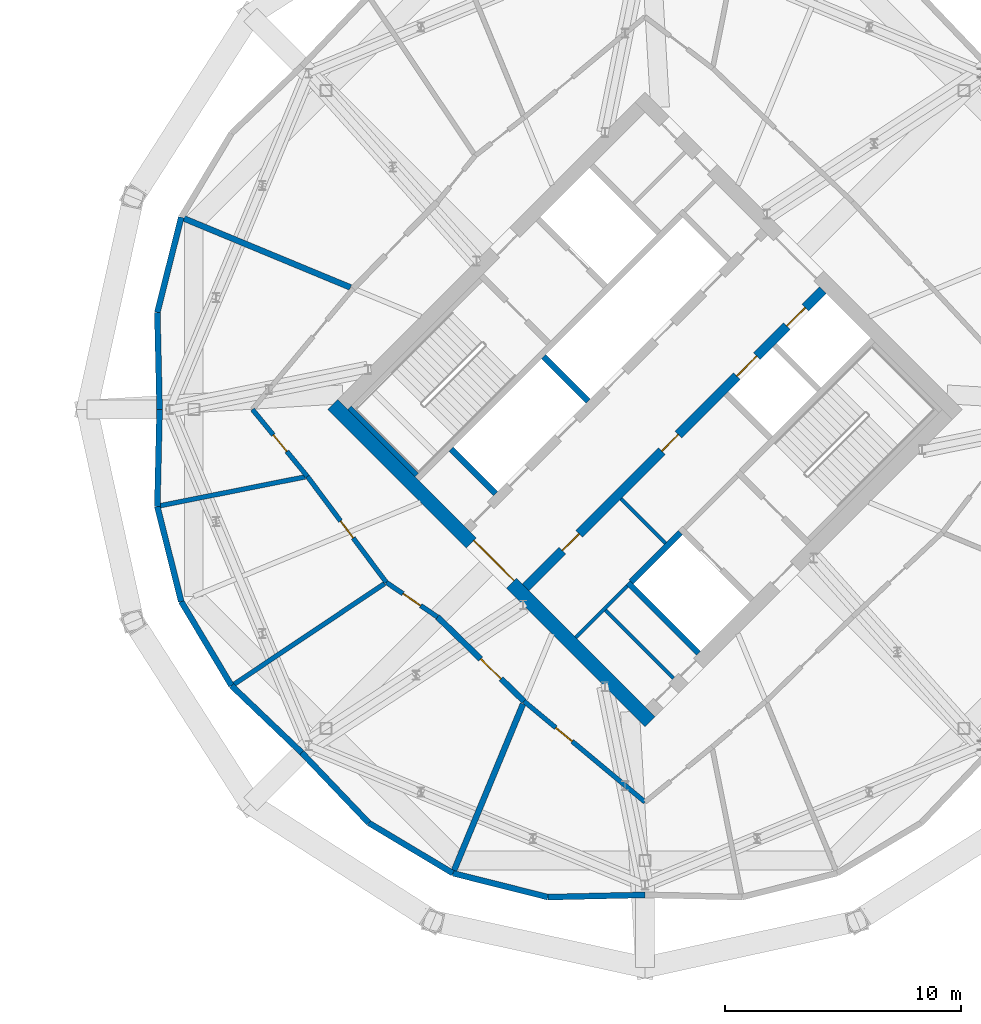
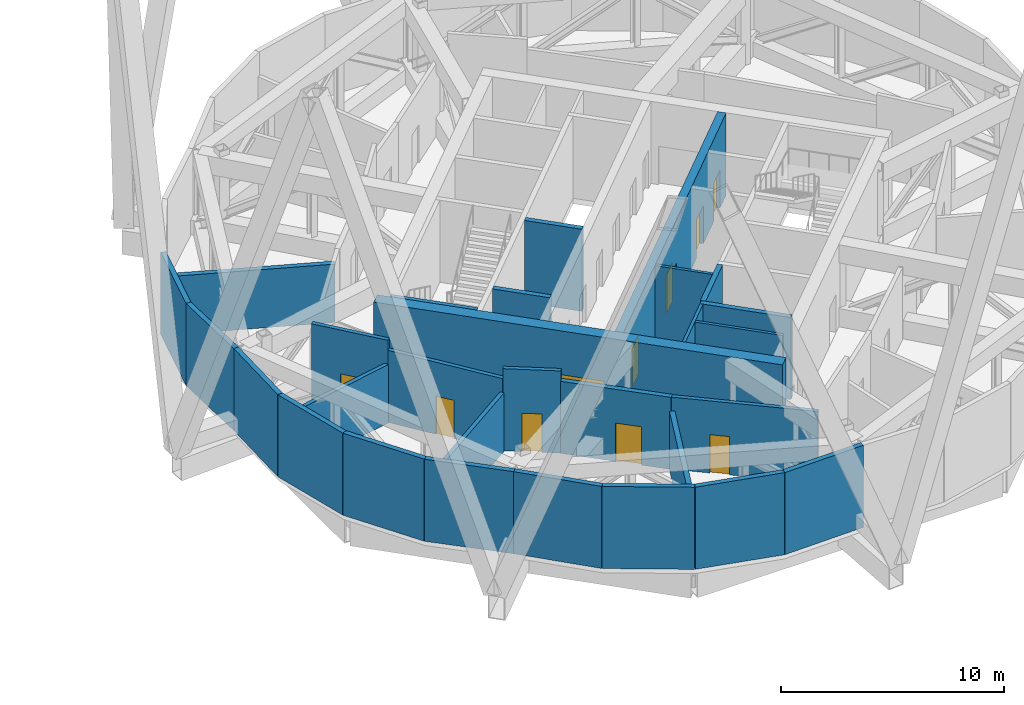
# One storey, part 15 of 19: 29 walls, 10 doors, 10 openings.
"""IFC4 building model written with IfcOpenShell, lengths in metres."""

from ifc_helpers import new_model, si_unit, direction, frame, frame_2d, origin, place, context, subcontext, project, spatial, rectangle, extrude, material, layer, layer_set, type_object, element, fill, save


model = new_model("IFC4")

# Units and contexts
model_context = context("Model", 3, precision=1e-05, world=origin(), true_north=direction((0.0, 1.0)))
body_context = subcontext(model_context, "Body", "Model", "MODEL_VIEW")
ifc_project = project(units=[si_unit("LENGTHUNIT", "METRE"), si_unit("AREAUNIT", "SQUARE_METRE"), si_unit("VOLUMEUNIT", "CUBIC_METRE"), si_unit("PLANEANGLEUNIT", "RADIAN"), si_unit("MASSUNIT", "GRAM", prefix="KILO")], contexts=[model_context])

# Site, building, storey
site_placement = place(None, origin())
site = spatial("IfcSite", under=ifc_project, at=site_placement, CompositionType="ELEMENT")
building_placement = place(site_placement, origin())
building = spatial("IfcBuilding", under=site, at=building_placement, Name="Ogive Gate Towers", CompositionType="ELEMENT")
storey_placement = place(building_placement, frame((0.0, 0.0, 216.300048828125)))
storey = spatial("IfcBuildingStorey", under=building, at=storey_placement, Name="L52", CompositionType="ELEMENT", Elevation=216.300048828125)

# Walls
ifc_material_1 = material(Name="Fire-rated block compartment wall")
ifc_layer_1 = layer(ifc_material_1, 0.199951171875)
ifc_layer_set_1 = layer_set([ifc_layer_1], Name="Compartment wall 200")
wall_type_1 = type_object("IfcWallType", Name="Compartment wall 200", PredefinedType="PARTITIONING", material=ifc_layer_set_1)
wall_1_placement = place(storey_placement, frame((15.314208984375, -4.10595703125, 0.0), z_axis=(0.0, 0.0, 1.0), x_axis=(0.980862436257, 0.19470203168, 0.0)))
element("IfcWall", 1, at=wall_1_placement, inside=storey, type_object=wall_type_1, Name="Partition T2-L52-006", PredefinedType="PARTITIONING", context=body_context, shape_type="SweptSolid", body=[
    extrude(rectangle(XDim=6.40869140625, YDim=0.199951171875, at=frame_2d((3.204345703125, 0.0))), origin(), (0.0, 0.0, 1.0), 3.199951171875),
])
wall_2_placement = place(storey_placement, frame((18.469482421875, -11.723876953125, 0.0), z_axis=(0.0, 0.0, 1.0), x_axis=(0.831236333101, 0.555919201442, 0.0)))
element("IfcWall", 2, at=wall_2_placement, inside=storey, type_object=wall_type_1, Name="Partition T2-L52-007", PredefinedType="PARTITIONING", context=body_context, shape_type="SweptSolid", body=[
    extrude(rectangle(XDim=7.80712890625, YDim=0.199951171875, at=frame_2d((3.903564453125, 0.0))), origin(), (0.0, 0.0, 1.0), 3.199951171875),
])

# Wall, opening, door
wall_3_placement = place(storey_placement, frame((19.3701171875, 0.0, 0.0), z_axis=(0.0, 0.0, 1.0), x_axis=(0.634160695306, -0.773201275561, 0.0)))
wall_3 = element("IfcWall", 3, at=wall_3_placement, inside=storey, type_object=wall_type_1, Name="Partition T2-L52-020", PredefinedType="PARTITIONING", context=body_context, shape_type="SweptSolid", body=[
    extrude(rectangle(XDim=3.671630859375, YDim=0.199951171875, at=frame_2d((1.8359375, 0.0))), origin(), (0.0, 0.0, 1.0), 4.5),
])
opening_1_placement = place(wall_3_placement, frame((1.39990234375, 0.0, 0.0)))
opening_1 = element("IfcOpeningElement", 4, at=opening_1_placement, cuts=wall_3, Name="Opening T2-L52-D09", PredefinedType="OPENING", context=body_context, shape_type="SweptSolid", body=[
    extrude(rectangle(XDim=0.89990234375, YDim=2.10009765625, at=frame_2d((0.449951171875, 1.050048828125))), frame((0.0, 0.10986328125, 0.0), z_axis=(0.0, -1.0, 0.0), x_axis=(1.0, 0.0, 0.0)), (0.0, 0.0, 1.0), 0.219970703125),
])
ifc_material_2 = material(Name="Steel fire door", Category="steel")
door_type_1 = type_object("IfcDoorType", Name="Fire door 900 FD30S", OperationType="NOTDEFINED", PredefinedType="DOOR", material=ifc_material_2)
door_1_placement = place(opening_1_placement, origin())
door_1 = element("IfcDoor", 5, at=door_1_placement, inside=storey, type_object=door_type_1, Name="Door T2-L52-D09", OperationType="SINGLE_SWING_RIGHT", OverallHeight=2.10009765625, OverallWidth=0.89990234375, PredefinedType="DOOR", context=body_context, shape_type="SweptSolid", body=[
    extrude(rectangle(XDim=0.89990234375, YDim=2.10009765625, at=frame_2d((0.449951171875, 1.050048828125))), frame((0.0, 0.02490234375, 0.0), z_axis=(0.0, -1.0, 0.0), x_axis=(1.0, 0.0, 0.0)), (0.0, 0.0, 1.0), 0.050048828125),
])
fill(opening_1, door_1)

wall_4_placement = place(storey_placement, frame((21.698486328125, -2.8388671875, 0.0), z_axis=(0.0, 0.0, 1.0), x_axis=(0.597344938892, -0.801984428764, 0.0)))
wall_4 = element("IfcWall", 6, at=wall_4_placement, inside=storey, type_object=wall_type_1, Name="Partition T2-L52-021", PredefinedType="PARTITIONING", context=body_context, shape_type="SweptSolid", body=[
    extrude(rectangle(XDim=5.59765625, YDim=0.199951171875, at=frame_2d((2.798828125, 0.0))), origin(), (0.0, 0.0, 1.0), 3.949951171875),
])
opening_2_placement = place(wall_4_placement, frame((2.35009765625, 0.0, 0.0)))
opening_2 = element("IfcOpeningElement", 7, at=opening_2_placement, cuts=wall_4, Name="Opening T2-L52-D10", PredefinedType="OPENING", context=body_context, shape_type="SweptSolid", body=[
    extrude(rectangle(XDim=0.89990234375, YDim=2.10009765625, at=frame_2d((0.449951171875, 1.050048828125))), frame((0.0, 0.10986328125, 0.0), z_axis=(0.0, -1.0, 0.0), x_axis=(1.0, 0.0, 0.0)), (0.0, 0.0, 1.0), 0.219970703125),
])
door_2_placement = place(opening_2_placement, origin())
door_2 = element("IfcDoor", 8, at=door_2_placement, inside=storey, type_object=door_type_1, Name="Door T2-L52-D10", OperationType="SINGLE_SWING_LEFT", OverallHeight=2.10009765625, OverallWidth=0.89990234375, PredefinedType="DOOR", context=body_context, shape_type="SweptSolid", body=[
    extrude(rectangle(XDim=0.89990234375, YDim=2.10009765625, at=frame_2d((0.449951171875, 1.050048828125))), frame((0.0, 0.02490234375, 0.0), z_axis=(0.0, -1.0, 0.0), x_axis=(1.0, 0.0, 0.0)), (0.0, 0.0, 1.0), 0.050048828125),
])
fill(opening_2, door_2)

wall_5_placement = place(storey_placement, frame((25.042236328125, -7.328125, 0.0), z_axis=(0.0, 0.0, 1.0), x_axis=(0.82893418587, -0.559346149979, 0.0)))
wall_5 = element("IfcWall", 9, at=wall_5_placement, inside=storey, type_object=wall_type_1, Name="Partition T2-L52-022", PredefinedType="PARTITIONING", context=body_context, shape_type="SweptSolid", body=[
    extrude(rectangle(XDim=2.614501953125, YDim=0.199951171875, at=frame_2d((1.30712890625, 0.0))), origin(), (0.0, 0.0, 1.0), 4.5),
])
opening_3_placement = place(wall_5_placement, frame((0.85009765625, 0.0, 0.0)))
opening_3 = element("IfcOpeningElement", 10, at=opening_3_placement, cuts=wall_5, Name="Opening T2-L52-D11", PredefinedType="OPENING", context=body_context, shape_type="SweptSolid", body=[
    extrude(rectangle(XDim=0.89990234375, YDim=2.10009765625, at=frame_2d((0.449951171875, 1.050048828125))), frame((0.0, 0.10986328125, 0.0), z_axis=(0.0, -1.0, 0.0), x_axis=(1.0, 0.0, 0.0)), (0.0, 0.0, 1.0), 0.219970703125),
])
door_3_placement = place(opening_3_placement, origin())
door_3 = element("IfcDoor", 11, at=door_3_placement, inside=storey, type_object=door_type_1, Name="Door T2-L52-D11", OperationType="SINGLE_SWING_RIGHT", OverallHeight=2.10009765625, OverallWidth=0.89990234375, PredefinedType="DOOR", context=body_context, shape_type="SweptSolid", body=[
    extrude(rectangle(XDim=0.89990234375, YDim=2.10009765625, at=frame_2d((0.449951171875, 1.050048828125))), frame((0.0, 0.02490234375, 0.0), z_axis=(0.0, -1.0, 0.0), x_axis=(1.0, 0.0, 0.0)), (0.0, 0.0, 1.0), 0.050048828125),
])
fill(opening_3, door_3)

wall_6_placement = place(storey_placement, frame((30.878662109375, -12.364013671875, 0.0), z_axis=(0.0, 0.0, 1.0), x_axis=(0.768362371892, -0.640015050964, 0.0)))
wall_6 = element("IfcWall", 12, at=wall_6_placement, inside=storey, type_object=wall_type_1, Name="Partition T2-L52-024", PredefinedType="PARTITIONING", context=body_context, shape_type="SweptSolid", body=[
    extrude(rectangle(XDim=6.665283203125, YDim=0.199951171875, at=frame_2d((3.33251953125, 0.0))), origin(), (0.0, 0.0, 1.0), 3.949951171875),
])
opening_4_placement = place(wall_6_placement, frame((1.75, 0.0, 0.0)))
opening_4 = element("IfcOpeningElement", 13, at=opening_4_placement, cuts=wall_6, Name="Opening T2-L52-D13", PredefinedType="OPENING", context=body_context, shape_type="SweptSolid", body=[
    extrude(rectangle(XDim=0.89990234375, YDim=2.10009765625, at=frame_2d((0.449951171875, 1.050048828125))), frame((0.0, 0.10986328125, 0.0), z_axis=(0.0, -1.0, 0.0), x_axis=(1.0, 0.0, 0.0)), (0.0, 0.0, 1.0), 0.219970703125),
])
door_4_placement = place(opening_4_placement, origin())
door_4 = element("IfcDoor", 14, at=door_4_placement, inside=storey, type_object=door_type_1, Name="Door T2-L52-D13", OperationType="SINGLE_SWING_RIGHT", OverallHeight=2.10009765625, OverallWidth=0.89990234375, PredefinedType="DOOR", context=body_context, shape_type="SweptSolid", body=[
    extrude(rectangle(XDim=0.89990234375, YDim=2.10009765625, at=frame_2d((0.449951171875, 1.050048828125))), frame((0.0, 0.02490234375, 0.0), z_axis=(0.0, -1.0, 0.0), x_axis=(1.0, 0.0, 0.0)), (0.0, 0.0, 1.0), 0.050048828125),
])
fill(opening_4, door_4)

ifc_material_3 = material(Name="Concrete C60/75", Category="concrete")
ifc_layer_2 = layer(ifc_material_3, 0.60009765625)
ifc_layer_set_2 = layer_set([ifc_layer_2], Name="Core wall 600 mm")
wall_type_2 = type_object("IfcWallType", Name="Core wall 600 mm", PredefinedType="SHEAR", material=ifc_layer_set_2)
wall_7_placement = place(storey_placement, frame((36.212158203125, -13.222900390625, 0.0), z_axis=(0.0, 0.0, 1.0), x_axis=(-0.707106781187, 0.707106781187, 0.0)))
wall_7 = element("IfcWall", 15, at=wall_7_placement, inside=storey, type_object=wall_type_2, Name="T2 L52 Core wall 600 mm", PredefinedType="SHEAR", context=body_context, shape_type="SweptSolid", body=[
    extrude(rectangle(XDim=19.0, YDim=0.60009765625, at=frame_2d((9.5, 0.0))), origin(), (0.0, 0.0, 1.0), 4.5),
])
opening_5_placement = place(wall_7_placement, frame((8.300048828125, 0.0, 0.0)))
opening_5 = element("IfcOpeningElement", 16, at=opening_5_placement, cuts=wall_7, Name="Opening KD-T2-L52-01", PredefinedType="OPENING", context=body_context, shape_type="SweptSolid", body=[
    extrude(rectangle(XDim=2.39990234375, YDim=2.10009765625, at=frame_2d((1.199951171875, 1.050048828125))), frame((0.0, 0.31005859375, 0.0), z_axis=(0.0, -1.0, 0.0), x_axis=(1.0, 0.0, 0.0)), (0.0, 0.0, 1.0), 0.6201171875),
])
door_type_2 = type_object("IfcDoorType", Name="Core double door FD60S 2400 x 2100", OperationType="DOUBLE_DOOR_SINGLE_SWING", PredefinedType="DOOR", material=ifc_material_2)
door_5_placement = place(opening_5_placement, origin())
door_5 = element("IfcDoor", 17, at=door_5_placement, inside=storey, type_object=door_type_2, Name="T2 L52 Core door double", OperationType="DOUBLE_DOOR_SINGLE_SWING", OverallHeight=2.10009765625, OverallWidth=2.39990234375, PredefinedType="DOOR", context=body_context, shape_type="SweptSolid", body=[
    extrude(rectangle(XDim=2.39990234375, YDim=2.10009765625, at=frame_2d((1.199951171875, 1.050048828125))), frame((0.0, -0.125, 0.0), z_axis=(0.0, -1.0, 0.0), x_axis=(1.0, 0.0, 0.0)), (0.0, 0.0, 1.0), 0.050048828125),
])
fill(opening_5, door_5)

# Walls
ifc_material_4 = material(Name="Pale metal aluminium louvre", Category="aluminium")
ifc_layer_3 = layer(ifc_material_4, 0.25)
ifc_layer_set_3 = layer_set([ifc_layer_3], Name="Plant louvre wall")
wall_type_3 = type_object("IfcWallType", Name="Plant louvre wall", PredefinedType="SOLIDWALL", material=ifc_layer_set_3)
wall_8_placement = place(storey_placement, frame((16.35400390625, 8.1376953125, 0.0), z_axis=(0.0, 0.0, 1.0), x_axis=(-0.244154126363, -0.969736439751, 0.0)))
element("IfcWall", 18, at=wall_8_placement, inside=storey, type_object=wall_type_3, Name="Plant louvre wall", PredefinedType="SOLIDWALL", context=body_context, shape_type="SweptSolid", body=[
    extrude(rectangle(XDim=4.15185546875, YDim=0.25, at=frame_2d((2.075927734375, 0.0))), origin(), (0.0, 0.0, 1.0), 4.5),
])
for number, where, z_axis, x_axis, name in (
    (19, (15.34033203125, 4.111572265625, 0.0), (0.0, 0.0, 1.0), (0.02303289986, -0.999734707572, 0.0), "Plant louvre wall"),
    (20, (15.43505859375, 0.0, 0.0), (0.0, 0.0, 1.0), (-0.02303289986, -0.999734707572, 0.0), "Plant louvre wall"),
):
    element("IfcWall", number, at=place(storey_placement, frame(where, z_axis=z_axis, x_axis=x_axis)), inside=storey, type_object=wall_type_3, Name=name, PredefinedType="SOLIDWALL", context=body_context, shape_type="SweptSolid", body=[
        extrude(rectangle(XDim=4.112548828125, YDim=0.25, at=frame_2d((2.05615234375, 0.0))), origin(), (0.0, 0.0, 1.0), 4.5),
    ])
wall_9_placement = place(storey_placement, frame((15.34033203125, -4.111572265625, 0.0), z_axis=(0.0, 0.0, 1.0), x_axis=(0.244154126363, -0.969736439751, 0.0)))
element("IfcWall", 21, at=wall_9_placement, inside=storey, type_object=wall_type_3, Name="Plant louvre wall", PredefinedType="SOLIDWALL", context=body_context, shape_type="SweptSolid", body=[
    extrude(rectangle(XDim=4.15185546875, YDim=0.25, at=frame_2d((2.075927734375, 0.0))), origin(), (0.0, 0.0, 1.0), 4.5),
])
wall_10_placement = place(storey_placement, frame((16.35400390625, -8.1376953125, 0.0), z_axis=(0.0, 0.0, 1.0), x_axis=(0.513042110204, -0.858363438852, 0.0)))
element("IfcWall", 22, at=wall_10_placement, inside=storey, type_object=wall_type_3, Name="Plant louvre wall", PredefinedType="SOLIDWALL", context=body_context, shape_type="SweptSolid", body=[
    extrude(rectangle(XDim=4.1513671875, YDim=0.25, at=frame_2d((2.07568359375, 0.0))), origin(), (0.0, 0.0, 1.0), 4.5),
])
for number, where, z_axis, x_axis, name in (
    (23, (18.48388671875, -11.701171875, 0.0), (0.0, 0.0, 1.0), (0.723242333283, -0.690594329072, 0.0), "Plant louvre wall"),
    (24, (21.45849609375, -14.54150390625, 0.0), (0.0, 0.0, 1.0), (0.690594329072, -0.723242333283, 0.0), "Plant louvre wall"),
):
    element("IfcWall", number, at=place(storey_placement, frame(where, z_axis=z_axis, x_axis=x_axis)), inside=storey, type_object=wall_type_3, Name=name, PredefinedType="SOLIDWALL", context=body_context, shape_type="SweptSolid", body=[
        extrude(rectangle(XDim=4.11279296875, YDim=0.25, at=frame_2d((2.056396484375, 0.0))), origin(), (0.0, 0.0, 1.0), 4.5),
    ])
wall_11_placement = place(storey_placement, frame((24.298828125, -17.51611328125, 0.0), z_axis=(0.0, 0.0, 1.0), x_axis=(0.858363438852, -0.513042110204, 0.0)))
element("IfcWall", 25, at=wall_11_placement, inside=storey, type_object=wall_type_3, Name="Plant louvre wall", PredefinedType="SOLIDWALL", context=body_context, shape_type="SweptSolid", body=[
    extrude(rectangle(XDim=4.1513671875, YDim=0.25, at=frame_2d((2.07568359375, 0.0))), origin(), (0.0, 0.0, 1.0), 4.5),
])
wall_12_placement = place(storey_placement, frame((27.8623046875, -19.64599609375, 0.0), z_axis=(0.0, 0.0, 1.0), x_axis=(0.969736439751, -0.244154126363, 0.0)))
element("IfcWall", 26, at=wall_12_placement, inside=storey, type_object=wall_type_3, Name="Plant louvre wall", PredefinedType="SOLIDWALL", context=body_context, shape_type="SweptSolid", body=[
    extrude(rectangle(XDim=4.15185546875, YDim=0.25, at=frame_2d((2.075927734375, 0.0))), origin(), (0.0, 0.0, 1.0), 4.5),
])
wall_13_placement = place(storey_placement, frame((31.888427734375, -20.65966796875, 0.0), z_axis=(0.0, 0.0, 1.0), x_axis=(0.999734707572, 0.02303289986, 0.0)))
element("IfcWall", 27, at=wall_13_placement, inside=storey, type_object=wall_type_3, Name="Plant louvre wall", PredefinedType="SOLIDWALL", context=body_context, shape_type="SweptSolid", body=[
    extrude(rectangle(XDim=4.112548828125, YDim=0.25, at=frame_2d((2.05615234375, 0.0))), origin(), (0.0, 0.0, 1.0), 4.5),
])
ifc_material_5 = material(Name="Fire-rated concrete block wall", Category="concrete")
ifc_layer_4 = layer(ifc_material_5, 0.25)
ifc_layer_set_4 = layer_set([ifc_layer_4], Name="Refuge compartment wall 250")
wall_type_4 = type_object("IfcWallType", Name="Refuge compartment wall 250", PredefinedType="PARTITIONING", material=ifc_layer_set_4)
for number, where, z_axis, x_axis, name in (
    (28, (16.33056640625, 8.147216796875, 0.0), (0.0, 0.0, 1.0), (0.923886069806, -0.382667649558, 0.0), "Partition T2-L52-005"),
    (29, (27.852783203125, -19.66943359375, 0.0), (0.0, 0.0, 1.0), (0.382667649558, 0.923886069806, 0.0), "Partition T2-L52-008"),
):
    element("IfcWall", number, at=place(storey_placement, frame(where, z_axis=z_axis, x_axis=x_axis)), inside=storey, type_object=wall_type_4, Name=name, PredefinedType="PARTITIONING", context=body_context, shape_type="SweptSolid", body=[
        extrude(rectangle(XDim=7.7822265625, YDim=0.25, at=frame_2d((3.89111328125, 0.0))), origin(), (0.0, 0.0, 1.0), 3.199951171875),
    ])

# Wall, opening, door
wall_14_placement = place(storey_placement, frame((27.20947265625, -8.79052734375, 0.0), z_axis=(0.0, 0.0, 1.0), x_axis=(0.716387795338, -0.69770231954, 0.0)))
wall_14 = element("IfcWall", 30, at=wall_14_placement, inside=storey, type_object=wall_type_4, Name="Partition T2-L52-023", PredefinedType="PARTITIONING", context=body_context, shape_type="SweptSolid", body=[
    extrude(rectangle(XDim=5.121826171875, YDim=0.25, at=frame_2d((2.56103515625, 0.0))), origin(), (0.0, 0.0, 1.0), 3.949951171875),
])
opening_6_placement = place(wall_14_placement, frame((2.550048828125, 0.0, 0.0)))
opening_6 = element("IfcOpeningElement", 31, at=opening_6_placement, cuts=wall_14, Name="Opening T2-L52-D12", PredefinedType="OPENING", context=body_context, shape_type="SweptSolid", body=[
    extrude(rectangle(XDim=1.199951171875, YDim=2.10009765625, at=frame_2d((0.60009765625, 1.050048828125))), frame((0.0, 0.135009765625, 0.0), z_axis=(0.0, -1.0, 0.0), x_axis=(1.0, 0.0, 0.0)), (0.0, 0.0, 1.0), 0.27001953125),
])
door_type_3 = type_object("IfcDoorType", Name="Fire door 1200 FD60S", OperationType="NOTDEFINED", PredefinedType="DOOR", material=ifc_material_2)
door_6_placement = place(opening_6_placement, origin())
door_6 = element("IfcDoor", 32, at=door_6_placement, inside=storey, type_object=door_type_3, Name="Door T2-L52-D12", OperationType="SINGLE_SWING_RIGHT", OverallHeight=2.10009765625, OverallWidth=1.199951171875, PredefinedType="DOOR", context=body_context, shape_type="SweptSolid", body=[
    extrude(rectangle(XDim=1.199951171875, YDim=2.10009765625, at=frame_2d((0.60009765625, 1.050048828125))), frame((0.0, 0.02490234375, 0.0), z_axis=(0.0, -1.0, 0.0), x_axis=(1.0, 0.0, 0.0)), (0.0, 0.0, 1.0), 0.050048828125),
])
fill(opening_6, door_6)

# Walls
ifc_material_6 = material(Name="Gypsum board partition")
ifc_layer_5 = layer(ifc_material_6, 0.14990234375)
ifc_layer_set_5 = layer_set([ifc_layer_5], Name="Room partition 150 mm")
wall_type_5 = type_object("IfcWallType", Name="Room partition 150 mm", PredefinedType="PARTITIONING", material=ifc_layer_set_5)
wall_15_placement = place(storey_placement, frame((33.0654296875, -9.652099609375, 0.0), z_axis=(0.0, 0.0, 1.0), x_axis=(0.707146476181, 0.707067083964, 0.0)))
element("IfcWall", 33, at=wall_15_placement, inside=storey, type_object=wall_type_5, Name="T2 L52 Room partition 150 mm", PredefinedType="PARTITIONING", context=body_context, shape_type="SweptSolid", body=[
    extrude(rectangle(XDim=3.0751953125, YDim=0.14990234375, at=frame_2d((1.53759765625, 0.0))), origin(), (0.0, 0.0, 1.0), 4.5),
])
wall_16_placement = place(storey_placement, frame((37.2021484375, -11.384521484375, 0.0), z_axis=(0.0, 0.0, 1.0), x_axis=(-0.707106781187, 0.707106781187, 0.0)))
element("IfcWall", 34, at=wall_16_placement, inside=storey, type_object=wall_type_5, Name="T2 L52 Room partition 150 mm", PredefinedType="PARTITIONING", context=body_context, shape_type="SweptSolid", body=[
    extrude(rectangle(XDim=4.0751953125, YDim=0.14990234375, at=frame_2d((2.03759765625, 0.0))), origin(), (0.0, 0.0, 1.0), 4.5),
])
wall_17_placement = place(storey_placement, frame((36.8662109375, -5.674560546875, 0.0), z_axis=(0.0, 0.0, 1.0), x_axis=(-0.707106781187, 0.707106781187, 0.0)))
element("IfcWall", 35, at=wall_17_placement, inside=storey, type_object=wall_type_5, Name="T2 L52 Room partition 150 mm", PredefinedType="PARTITIONING", context=body_context, shape_type="SweptSolid", body=[
    extrude(rectangle(XDim=2.675048828125, YDim=0.14990234375, at=frame_2d((1.33740234375, 0.0))), origin(), (0.0, 0.0, 1.0), 4.5),
])
ifc_layer_6 = layer(ifc_material_3, 0.25)
ifc_layer_set_6 = layer_set([ifc_layer_6], Name="Shaft wall 250 mm")
wall_type_6 = type_object("IfcWallType", Name="Shaft wall 250 mm", PredefinedType="SHEAR", material=ifc_layer_set_6)
wall_18_placement = place(storey_placement, frame((35.41650390625, -7.30078125, 0.0), z_axis=(0.0, 0.0, 1.0), x_axis=(0.707148157867, 0.707065402085, 0.0)))
element("IfcWall", 36, at=wall_18_placement, inside=storey, type_object=wall_type_6, Name="T2 L52 Shaft wall 250 mm", PredefinedType="SHEAR", context=body_context, shape_type="SweptSolid", body=[
    extrude(rectangle(XDim=2.9501953125, YDim=0.25, at=frame_2d((1.47509765625, 0.0))), origin(), (0.0, 0.0, 1.0), 4.5),
])
wall_19_placement = place(storey_placement, frame((29.67138671875, -3.57080078125, 0.0), z_axis=(0.0, 0.0, 1.0), x_axis=(-0.707152414227, 0.707061145201, 0.0)))
element("IfcWall", 37, at=wall_19_placement, inside=storey, type_object=wall_type_6, Name="T2 L52 Shaft wall 250 mm", PredefinedType="SHEAR", context=body_context, shape_type="SweptSolid", body=[
    extrude(rectangle(XDim=2.675048828125, YDim=0.25, at=frame_2d((1.33740234375, 0.0))), origin(), (0.0, 0.0, 1.0), 4.5),
])
wall_20_placement = place(storey_placement, frame((38.2626953125, -10.32373046875, 0.0), z_axis=(0.0, 0.0, 1.0), x_axis=(-0.707106781187, 0.707106781187, 0.0)))
element("IfcWall", 38, at=wall_20_placement, inside=storey, type_object=wall_type_6, Name="T2 L52 Shaft wall 250 mm", PredefinedType="SHEAR", context=body_context, shape_type="SweptSolid", body=[
    extrude(rectangle(XDim=4.22509765625, YDim=0.25, at=frame_2d((2.112548828125, 0.0))), origin(), (0.0, 0.0, 1.0), 4.5),
])
wall_21_placement = place(storey_placement, frame((33.595703125, 0.353515625, 0.0), z_axis=(0.0, 0.0, 1.0), x_axis=(-0.707061145201, 0.707152414227, 0.0)))
element("IfcWall", 39, at=wall_21_placement, inside=storey, type_object=wall_type_6, Name="T2 L52 Shaft wall 250 mm", PredefinedType="SHEAR", context=body_context, shape_type="SweptSolid", body=[
    extrude(rectangle(XDim=2.675048828125, YDim=0.25, at=frame_2d((1.33740234375, 0.0))), origin(), (0.0, 0.0, 1.0), 4.5),
])

# Wall, openings, doors
ifc_layer_7 = layer(ifc_material_3, 0.39990234375)
ifc_layer_set_7 = layer_set([ifc_layer_7], Name="Spine wall 400 mm")
wall_type_7 = type_object("IfcWallType", Name="Spine wall 400 mm", PredefinedType="SHEAR", material=ifc_layer_set_7)
wall_22_placement = place(storey_placement, frame((30.944091796875, -7.53076171875, 0.0), z_axis=(0.0, 0.0, 1.0), x_axis=(0.707106781187, 0.707106781187, 0.0)))
wall_22 = element("IfcWall", 40, at=wall_22_placement, inside=storey, type_object=wall_type_7, Name="T2 L52 Spine wall 400 mm", PredefinedType="SHEAR", context=body_context, shape_type="SweptSolid", body=[
    extrude(rectangle(XDim=17.80029296875, YDim=0.39990234375, at=frame_2d((8.900146484375, 0.0))), origin(), (0.0, 0.0, 1.0), 4.5),
])
opening_7_placement = place(wall_22_placement, frame((12.64990234375, 0.0, 0.0)))
opening_7 = element("IfcOpeningElement", 41, at=opening_7_placement, cuts=wall_22, Name="Opening LD-T2-L52-10", PredefinedType="OPENING", context=body_context, shape_type="SweptSolid", body=[
    extrude(rectangle(XDim=1.199951171875, YDim=2.10009765625, at=frame_2d((0.60009765625, 1.050048828125))), frame((0.0, 0.2099609375, 0.0), z_axis=(0.0, -1.0, 0.0), x_axis=(1.0, 0.0, 0.0)), (0.0, 0.0, 1.0), 0.419921875),
])
opening_8_placement = place(wall_22_placement, frame((15.64990234375, 0.0, 0.0)))
opening_8 = element("IfcOpeningElement", 42, at=opening_8_placement, cuts=wall_22, Name="Opening LD-T2-L52-11", PredefinedType="OPENING", context=body_context, shape_type="SweptSolid", body=[
    extrude(rectangle(XDim=1.10009765625, YDim=2.10009765625, at=frame_2d((0.550048828125, 1.050048828125))), frame((0.0, 0.2099609375, 0.0), z_axis=(0.0, -1.0, 0.0), x_axis=(1.0, 0.0, 0.0)), (0.0, 0.0, 1.0), 0.419921875),
])
opening_9_placement = place(wall_22_placement, frame((2.199951171875, 0.0, 0.0)))
opening_9 = element("IfcOpeningElement", 43, at=opening_9_placement, cuts=wall_22, Name="Opening KD-T2-L52-14", PredefinedType="OPENING", context=body_context, shape_type="SweptSolid", body=[
    extrude(rectangle(XDim=1.0, YDim=2.10009765625, at=frame_2d((0.5, 1.050048828125))), frame((0.0, 0.2099609375, 0.0), z_axis=(0.0, -1.0, 0.0), x_axis=(1.0, 0.0, 0.0)), (0.0, 0.0, 1.0), 0.419921875),
])
opening_10_placement = place(wall_22_placement, frame((8.14990234375, 0.0, 0.0)))
opening_10 = element("IfcOpeningElement", 44, at=opening_10_placement, cuts=wall_22, Name="Opening KD-T2-L52-15", PredefinedType="OPENING", context=body_context, shape_type="SweptSolid", body=[
    extrude(rectangle(XDim=1.0, YDim=2.10009765625, at=frame_2d((0.5, 1.050048828125))), frame((0.0, 0.2099609375, 0.0), z_axis=(0.0, -1.0, 0.0), x_axis=(1.0, 0.0, 0.0)), (0.0, 0.0, 1.0), 0.419921875),
])
door_type_4 = type_object("IfcDoorType", Name="Core door FD60S 1000 x 2100", OperationType="NOTDEFINED", PredefinedType="DOOR", material=ifc_material_2)
door_7_placement = place(opening_9_placement, origin())
door_7 = element("IfcDoor", 45, at=door_7_placement, inside=storey, type_object=door_type_4, Name="T2 L52 Core door", OperationType="SINGLE_SWING_LEFT", OverallHeight=2.10009765625, OverallWidth=1.0, PredefinedType="DOOR", context=body_context, shape_type="SweptSolid", body=[
    extrude(rectangle(XDim=1.0, YDim=2.10009765625, at=frame_2d((0.5, 1.050048828125))), frame((0.0, 0.02490234375, 0.0), z_axis=(0.0, -1.0, 0.0), x_axis=(1.0, 0.0, 0.0)), (0.0, 0.0, 1.0), 0.050048828125),
])
fill(opening_9, door_7)
door_8_placement = place(opening_10_placement, origin())
door_8 = element("IfcDoor", 46, at=door_8_placement, inside=storey, type_object=door_type_4, Name="T2 L52 Core door", OperationType="SINGLE_SWING_RIGHT", OverallHeight=2.10009765625, OverallWidth=1.0, PredefinedType="DOOR", context=body_context, shape_type="SweptSolid", body=[
    extrude(rectangle(XDim=1.0, YDim=2.10009765625, at=frame_2d((0.5, 1.050048828125))), frame((0.0, 0.02490234375, 0.0), z_axis=(0.0, -1.0, 0.0), x_axis=(1.0, 0.0, 0.0)), (0.0, 0.0, 1.0), 0.050048828125),
])
fill(opening_10, door_8)
ifc_material_7 = material(Name="Stainless steel landing door", Category="steel")
door_type_5 = type_object("IfcDoorType", Name="Landing door 1100 x 2100", OperationType="SLIDING_TO_LEFT", PredefinedType="DOOR", material=ifc_material_7)
door_9_placement = place(opening_8_placement, origin())
door_9 = element("IfcDoor", 47, at=door_9_placement, inside=storey, type_object=door_type_5, Name="T2 L52 Lift landing door B6", OperationType="SLIDING_TO_LEFT", OverallHeight=2.10009765625, OverallWidth=1.10009765625, PredefinedType="DOOR", context=body_context, shape_type="SweptSolid", body=[
    extrude(rectangle(XDim=1.10009765625, YDim=2.10009765625, at=frame_2d((0.550048828125, 1.050048828125))), frame((0.0, 0.02490234375, 0.0), z_axis=(0.0, -1.0, 0.0), x_axis=(1.0, 0.0, 0.0)), (0.0, 0.0, 1.0), 0.050048828125),
])
fill(opening_8, door_9)
door_type_6 = type_object("IfcDoorType", Name="Landing door 1200 x 2100", OperationType="SLIDING_TO_LEFT", PredefinedType="DOOR", material=ifc_material_7)
door_10_placement = place(opening_7_placement, origin())
door_10 = element("IfcDoor", 48, at=door_10_placement, inside=storey, type_object=door_type_6, Name="T2 L52 Lift landing door SVC", OperationType="SLIDING_TO_LEFT", OverallHeight=2.10009765625, OverallWidth=1.199951171875, PredefinedType="DOOR", context=body_context, shape_type="SweptSolid", body=[
    extrude(rectangle(XDim=1.199951171875, YDim=2.10009765625, at=frame_2d((0.60009765625, 1.050048828125))), frame((0.0, 0.02490234375, 0.0), z_axis=(0.0, -1.0, 0.0), x_axis=(1.0, 0.0, 0.0)), (0.0, 0.0, 1.0), 0.050048828125),
])
fill(opening_7, door_10)

# Wall
ifc_layer_8 = layer(ifc_material_3, 0.199951171875)
ifc_layer_set_8 = layer_set([ifc_layer_8], Name="Stair wall 200 mm")
wall_type_8 = type_object("IfcWallType", Name="Stair wall 200 mm", PredefinedType="SHEAR", material=ifc_layer_set_8)
wall_23_placement = place(storey_placement, frame((26.330322265625, -2.775390625, 0.0), z_axis=(0.0, 0.0, 1.0), x_axis=(-0.707106781187, 0.707106781187, 0.0)))
element("IfcWall", 49, at=wall_23_placement, inside=storey, type_object=wall_type_8, Name="T2 L52 Stair wall 200 mm", PredefinedType="SHEAR", context=body_context, shape_type="SweptSolid", body=[
    extrude(rectangle(XDim=4.025146484375, YDim=0.199951171875, at=frame_2d((2.0126953125, 0.0))), origin(), (0.0, 0.0, 1.0), 4.5),
])

save(model, "model.ifc")
